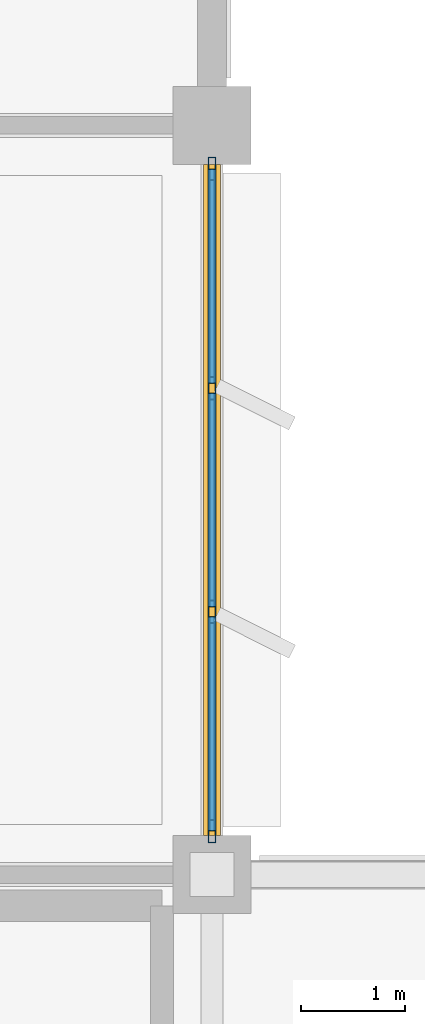
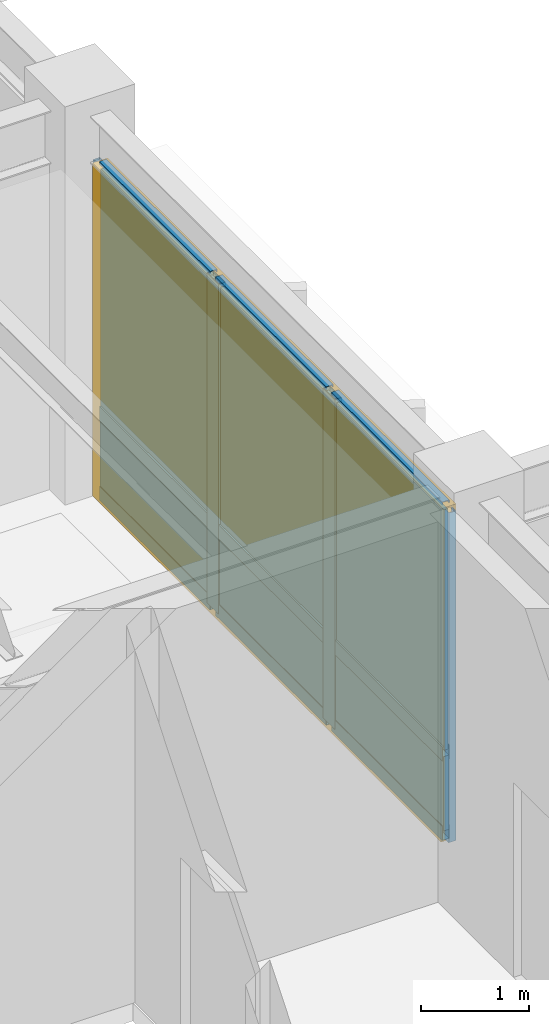
# One storey, part 62 of 92: 13 members, 6 plates, 1 curtain wall.
"""IFC4 building model written with IfcOpenShell, lengths in metres."""

from ifc_helpers import new_model, si_unit, direction, frame, origin, origin_2d, place, context, subcontext, project, spatial, rectangle, hollow_rectangle, extrude, material, layer, layer_set, material_profile, profile_set, type_object, element, aggregate, save


model = new_model("IFC4")

# Units and contexts
model_context = context("Model", 3, precision=1e-05, world=origin(), true_north=direction((0.0, 1.0)))
body_context = subcontext(model_context, "Body", "Model", "MODEL_VIEW")
ifc_project = project(units=[si_unit("LENGTHUNIT", "METRE"), si_unit("AREAUNIT", "SQUARE_METRE"), si_unit("VOLUMEUNIT", "CUBIC_METRE"), si_unit("PLANEANGLEUNIT", "RADIAN"), si_unit("MASSUNIT", "GRAM", prefix="KILO")], contexts=[model_context])

# Member
ifc_material_1 = material(Name="Anodized Aluminium 6063-T6", Category="aluminium")
ifc_material_profile_1 = material_profile(ifc_material_1, hollow_rectangle(XDim=0.074951171875, YDim=0.219970703125, WallThickness=0.0048828125, at=origin_2d()), Name="ALU 75x220x5")
ifc_profile_set_1 = profile_set([ifc_material_profile_1], Name="Anodized Aluminium 6063-T6")
member_type_1 = type_object("IfcMemberType", Name="CWM-75X180", PredefinedType="MULLION", material=ifc_profile_set_1)
site_placement = place(None, origin())
building_placement = place(site_placement, origin())
storey_placement = place(building_placement, frame((0.0, 0.0, 5.39990234375)))
member_1_placement = place(storey_placement, frame((72.0, 100.385009765625, 0.02001953125), z_axis=(0.0, 0.0, 1.0), x_axis=(1.0, 0.0, 0.0)))
member_1 = element("IfcMember", 1, at=member_1_placement, type_object=member_type_1, Name="Curtain wall mullion CW-L02-09-13-E-00", PredefinedType="MULLION", context=body_context, shape_type="SweptSolid", body=[
    extrude(hollow_rectangle(XDim=0.074951171875, YDim=0.219970703125, WallThickness=0.0048828125, at=origin_2d()), origin(), (0.0, 0.0, 1.0), 3.72705078125),
])

member_2_placement = place(storey_placement, frame((72.0, 98.27490234375, 0.02001953125), z_axis=(0.0, 0.0, 1.0), x_axis=(1.0, 0.0, 0.0)))
member_2 = element("IfcMember", 2, at=member_2_placement, type_object=member_type_1, Name="Curtain wall mullion CW-L02-09-13-E-01", PredefinedType="MULLION", context=body_context, shape_type="SweptSolid", body=[
    extrude(hollow_rectangle(XDim=0.074951171875, YDim=0.219970703125, WallThickness=0.0048828125, at=origin_2d()), origin(), (0.0, 0.0, 1.0), 3.72705078125),
])

member_3_placement = place(storey_placement, frame((72.0, 96.125, 0.02001953125), z_axis=(0.0, 0.0, 1.0), x_axis=(1.0, 0.0, 0.0)))
member_3 = element("IfcMember", 3, at=member_3_placement, type_object=member_type_1, Name="Curtain wall mullion CW-L02-09-13-E-02", PredefinedType="MULLION", context=body_context, shape_type="SweptSolid", body=[
    extrude(hollow_rectangle(XDim=0.074951171875, YDim=0.219970703125, WallThickness=0.0048828125, at=origin_2d()), origin(), (0.0, 0.0, 1.0), 3.72705078125),
])

member_4_placement = place(storey_placement, frame((72.0, 94.014892578125, 0.02001953125), z_axis=(0.0, 0.0, 1.0), x_axis=(1.0, 0.0, 0.0)))
member_4 = element("IfcMember", 4, at=member_4_placement, type_object=member_type_1, Name="Curtain wall mullion CW-L02-09-13-E-03", PredefinedType="MULLION", context=body_context, shape_type="SweptSolid", body=[
    extrude(hollow_rectangle(XDim=0.074951171875, YDim=0.219970703125, WallThickness=0.0048828125, at=origin_2d()), origin(), (0.0, 0.0, 1.0), 3.72705078125),
])

ifc_material_profile_2 = material_profile(ifc_material_1, hollow_rectangle(XDim=0.074951171875, YDim=0.159912109375, WallThickness=0.00390625, at=origin_2d()), Name="ALU 75x160x4")
ifc_profile_set_2 = profile_set([ifc_material_profile_2], Name="Anodized Aluminium 6063-T6")
member_type_2 = type_object("IfcMemberType", Name="CWT-75X150", PredefinedType="USERDEFINED", material=ifc_profile_set_2)
member_5_placement = place(storey_placement, frame((72.0, 100.375, 0.050048828125), z_axis=(0.0, -1.0, 0.0), x_axis=(1.0, 0.0, 0.0)))
member_5 = element("IfcMember", 5, at=member_5_placement, type_object=member_type_2, Name="Curtain wall transom CW-L02-09-13-E-1.01", ObjectType="TRANSOM", PredefinedType="USERDEFINED", context=body_context, shape_type="SweptSolid", body=[
    extrude(hollow_rectangle(XDim=0.074951171875, YDim=0.159912109375, WallThickness=0.00390625, at=origin_2d()), origin(), (0.0, 0.0, 1.0), 2.050048828125),
])

member_6_placement = place(storey_placement, frame((72.0, 98.22509765625, 0.050048828125), z_axis=(0.0, -1.0, 0.0), x_axis=(1.0, 0.0, 0.0)))
member_6 = element("IfcMember", 6, at=member_6_placement, type_object=member_type_2, Name="Curtain wall transom CW-L02-09-13-E-1.02", ObjectType="TRANSOM", PredefinedType="USERDEFINED", context=body_context, shape_type="SweptSolid", body=[
    extrude(hollow_rectangle(XDim=0.074951171875, YDim=0.159912109375, WallThickness=0.00390625, at=origin_2d()), origin(), (0.0, 0.0, 1.0), 2.050048828125),
])

member_7_placement = place(storey_placement, frame((72.0, 96.074951171875, 0.050048828125), z_axis=(0.0, -1.0, 0.0), x_axis=(1.0, 0.0, 0.0)))
member_7 = element("IfcMember", 7, at=member_7_placement, type_object=member_type_2, Name="Curtain wall transom CW-L02-09-13-E-1.03", ObjectType="TRANSOM", PredefinedType="USERDEFINED", context=body_context, shape_type="SweptSolid", body=[
    extrude(hollow_rectangle(XDim=0.074951171875, YDim=0.159912109375, WallThickness=0.00390625, at=origin_2d()), origin(), (0.0, 0.0, 1.0), 2.050048828125),
])

member_8_placement = place(storey_placement, frame((72.0, 100.375, 0.9501953125), z_axis=(0.0, -1.0, 0.0), x_axis=(1.0, 0.0, 0.0)))
member_8 = element("IfcMember", 8, at=member_8_placement, type_object=member_type_2, Name="Curtain wall transom CW-L02-09-13-E-2.01", ObjectType="TRANSOM", PredefinedType="USERDEFINED", context=body_context, shape_type="SweptSolid", body=[
    extrude(hollow_rectangle(XDim=0.074951171875, YDim=0.159912109375, WallThickness=0.00390625, at=origin_2d()), origin(), (0.0, 0.0, 1.0), 2.050048828125),
])

member_9_placement = place(storey_placement, frame((72.0, 98.22509765625, 0.9501953125), z_axis=(0.0, -1.0, 0.0), x_axis=(1.0, 0.0, 0.0)))
member_9 = element("IfcMember", 9, at=member_9_placement, type_object=member_type_2, Name="Curtain wall transom CW-L02-09-13-E-2.02", ObjectType="TRANSOM", PredefinedType="USERDEFINED", context=body_context, shape_type="SweptSolid", body=[
    extrude(hollow_rectangle(XDim=0.074951171875, YDim=0.159912109375, WallThickness=0.00390625, at=origin_2d()), origin(), (0.0, 0.0, 1.0), 2.050048828125),
])

member_10_placement = place(storey_placement, frame((72.0, 96.074951171875, 0.9501953125), z_axis=(0.0, -1.0, 0.0), x_axis=(1.0, 0.0, 0.0)))
member_10 = element("IfcMember", 10, at=member_10_placement, type_object=member_type_2, Name="Curtain wall transom CW-L02-09-13-E-2.03", ObjectType="TRANSOM", PredefinedType="USERDEFINED", context=body_context, shape_type="SweptSolid", body=[
    extrude(hollow_rectangle(XDim=0.074951171875, YDim=0.159912109375, WallThickness=0.00390625, at=origin_2d()), origin(), (0.0, 0.0, 1.0), 2.050048828125),
])

member_11_placement = place(storey_placement, frame((72.0, 100.375, 3.717041015625), z_axis=(0.0, -1.0, 0.0), x_axis=(1.0, 0.0, 0.0)))
member_11 = element("IfcMember", 11, at=member_11_placement, type_object=member_type_2, Name="Curtain wall transom CW-L02-09-13-E-3.01", ObjectType="TRANSOM", PredefinedType="USERDEFINED", context=body_context, shape_type="SweptSolid", body=[
    extrude(hollow_rectangle(XDim=0.074951171875, YDim=0.159912109375, WallThickness=0.00390625, at=origin_2d()), origin(), (0.0, 0.0, 1.0), 2.050048828125),
])

member_12_placement = place(storey_placement, frame((72.0, 98.22509765625, 3.717041015625), z_axis=(0.0, -1.0, 0.0), x_axis=(1.0, 0.0, 0.0)))
member_12 = element("IfcMember", 12, at=member_12_placement, type_object=member_type_2, Name="Curtain wall transom CW-L02-09-13-E-3.02", ObjectType="TRANSOM", PredefinedType="USERDEFINED", context=body_context, shape_type="SweptSolid", body=[
    extrude(hollow_rectangle(XDim=0.074951171875, YDim=0.159912109375, WallThickness=0.00390625, at=origin_2d()), origin(), (0.0, 0.0, 1.0), 2.050048828125),
])

member_13_placement = place(storey_placement, frame((72.0, 96.074951171875, 3.717041015625), z_axis=(0.0, -1.0, 0.0), x_axis=(1.0, 0.0, 0.0)))
member_13 = element("IfcMember", 13, at=member_13_placement, type_object=member_type_2, Name="Curtain wall transom CW-L02-09-13-E-3.03", ObjectType="TRANSOM", PredefinedType="USERDEFINED", context=body_context, shape_type="SweptSolid", body=[
    extrude(hollow_rectangle(XDim=0.074951171875, YDim=0.159912109375, WallThickness=0.00390625, at=origin_2d()), origin(), (0.0, 0.0, 1.0), 2.050048828125),
])

# Plate
ifc_material_2 = material(Name="Acoustic Laminated Low-E Glazing", Category="glass")
ifc_layer_1 = layer(ifc_material_2, 0.0439453125)
ifc_layer_set_1 = layer_set([ifc_layer_1], Name="Acoustic Laminated Low-E Glazing")
plate_type_1 = type_object("IfcPlateType", Name="CWP-IGU-44", PredefinedType="CURTAIN_PANEL", material=ifc_layer_set_1)
plate_1_placement = place(storey_placement, frame((72.0, 99.35009765625, 0.990234375), z_axis=(0.0, 0.0, 1.0), x_axis=(0.0, -1.0, 0.0)))
plate_1 = element("IfcPlate", 14, at=plate_1_placement, type_object=plate_type_1, Name="Curtain wall vision glazing CW-L02-09-13-E-01", PredefinedType="CURTAIN_PANEL", context=body_context, shape_type="SweptSolid", body=[
    extrude(rectangle(XDim=2.06005859375, YDim=0.0400390625, at=origin_2d()), origin(), (0.0, 0.0, 1.0), 2.717041015625),
])

plate_2_placement = place(storey_placement, frame((72.0, 97.199951171875, 0.990234375), z_axis=(0.0, 0.0, 1.0), x_axis=(0.0, -1.0, 0.0)))
plate_2 = element("IfcPlate", 15, at=plate_2_placement, type_object=plate_type_1, Name="Curtain wall vision glazing CW-L02-09-13-E-02", PredefinedType="CURTAIN_PANEL", context=body_context, shape_type="SweptSolid", body=[
    extrude(rectangle(XDim=2.06005859375, YDim=0.0400390625, at=origin_2d()), origin(), (0.0, 0.0, 1.0), 2.717041015625),
])

plate_3_placement = place(storey_placement, frame((72.0, 95.050048828125, 0.990234375), z_axis=(0.0, 0.0, 1.0), x_axis=(0.0, -1.0, 0.0)))
plate_3 = element("IfcPlate", 16, at=plate_3_placement, type_object=plate_type_1, Name="Curtain wall vision glazing CW-L02-09-13-E-03", PredefinedType="CURTAIN_PANEL", context=body_context, shape_type="SweptSolid", body=[
    extrude(rectangle(XDim=2.06005859375, YDim=0.0400390625, at=origin_2d()), origin(), (0.0, 0.0, 1.0), 2.717041015625),
])

ifc_material_3 = material(Name="Insulated Stone-Composite Spandrel", Category="masonry")
ifc_layer_2 = layer(ifc_material_3, 0.068115234375)
ifc_layer_set_2 = layer_set([ifc_layer_2], Name="Insulated Stone-Composite Spandrel")
plate_type_2 = type_object("IfcPlateType", Name="CWP-SPN-68", PredefinedType="CURTAIN_PANEL", material=ifc_layer_set_2)
plate_4_placement = place(storey_placement, frame((72.0, 99.35009765625, 0.080078125), z_axis=(0.0, 0.0, 1.0), x_axis=(0.0, -1.0, 0.0)))
plate_4 = element("IfcPlate", 17, at=plate_4_placement, type_object=plate_type_2, Name="Curtain wall spandrel panel CW-L02-09-13-E-01", PredefinedType="CURTAIN_PANEL", context=body_context, shape_type="SweptSolid", body=[
    extrude(rectangle(XDim=2.06005859375, YDim=0.06005859375, at=origin_2d()), origin(), (0.0, 0.0, 1.0), 0.840087890625),
])

plate_5_placement = place(storey_placement, frame((72.0, 97.199951171875, 0.080078125), z_axis=(0.0, 0.0, 1.0), x_axis=(0.0, -1.0, 0.0)))
plate_5 = element("IfcPlate", 18, at=plate_5_placement, type_object=plate_type_2, Name="Curtain wall spandrel panel CW-L02-09-13-E-02", PredefinedType="CURTAIN_PANEL", context=body_context, shape_type="SweptSolid", body=[
    extrude(rectangle(XDim=2.06005859375, YDim=0.06005859375, at=origin_2d()), origin(), (0.0, 0.0, 1.0), 0.840087890625),
])

plate_6_placement = place(storey_placement, frame((72.0, 95.050048828125, 0.080078125), z_axis=(0.0, 0.0, 1.0), x_axis=(0.0, -1.0, 0.0)))
plate_6 = element("IfcPlate", 19, at=plate_6_placement, type_object=plate_type_2, Name="Curtain wall spandrel panel CW-L02-09-13-E-03", PredefinedType="CURTAIN_PANEL", context=body_context, shape_type="SweptSolid", body=[
    extrude(rectangle(XDim=2.06005859375, YDim=0.06005859375, at=origin_2d()), origin(), (0.0, 0.0, 1.0), 0.840087890625),
])

# Site, building, storey
site = spatial("IfcSite", under=ifc_project, at=site_placement, CompositionType="ELEMENT")
building = spatial("IfcBuilding", under=site, at=building_placement, Name="Sillqori Civic Hall", CompositionType="ELEMENT")
storey = spatial("IfcBuildingStorey", under=building, at=storey_placement, Name="L02", CompositionType="ELEMENT", Elevation=5.39990234375)

# Curtain wall
ifc_material_4 = material(Name="Anodized Aluminium Curtain Wall System", Category="aluminium")
curtain_wall_type = type_object("IfcCurtainWallType", Name="CW-GL-430", PredefinedType="NOTDEFINED", material=ifc_material_4)
curtain_wall_placement = place(storey_placement, frame((72.0, 97.199951171875, 0.0), z_axis=(0.0, 0.0, 1.0), x_axis=(0.0, -1.0, 0.0)))
curtain_wall = element("IfcCurtainWall", 20, at=curtain_wall_placement, inside=storey, type_object=curtain_wall_type, Name="L02 unitised curtain wall CW-L02-09-13-E", PredefinedType="NOTDEFINED", context=body_context, shape_type="SweptSolid", body=[
    extrude(rectangle(XDim=6.449951171875, YDim=0.159912109375, at=origin_2d()), origin(), (0.0, 0.0, 1.0), 3.76708984375),
])

aggregate(curtain_wall, [member_1, member_2, member_3, member_4, member_5, member_6, member_7, member_8, member_9, member_10, member_11, member_12, member_13, plate_4, plate_1, plate_5, plate_2, plate_6, plate_3])

save(model, "model.ifc")
